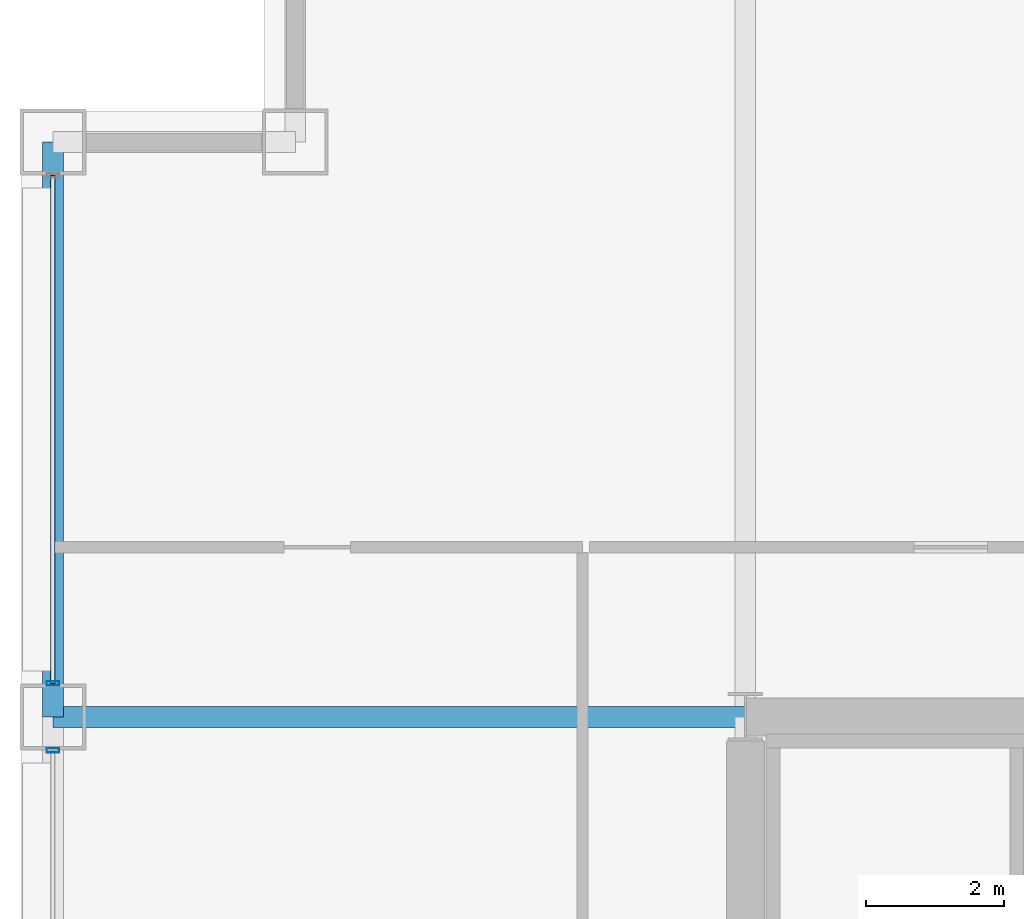
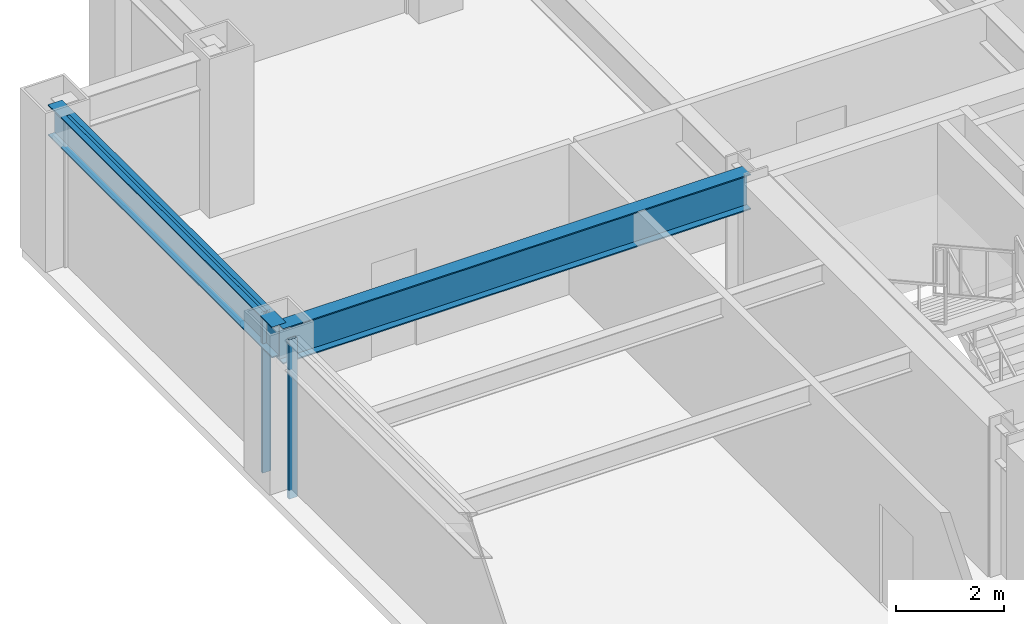
# One storey, part 15 of 31: 3 members, 2 beams, 2 elements without a shape of their own.
"""IFC4 building model written with IfcOpenShell, lengths in metres."""

import ifcopenshell
import ifcopenshell.guid

model = None  # the IFC model being written
_history = None  # IfcOwnerHistory: only IFC2X3 demands one
_inside = {}  # id of a spatial element -> (the spatial element, [elements in it])
_under = {}  # id of a project, library or spatial element -> (it, [spatial elements below it])
_declared = {}  # id of a project -> (the project, [libraries it declares])
_typed = {}  # id of a type object -> (the type object, [elements of that type])
_made_of = {}  # id of a material, layer set ... -> (it, [elements and type objects made of it])


def new_model(schema):
    """Start an empty IFC model of exactly this schema.

    Asked for "IFC4X3", IfcOpenShell would pick the latest addendum, in which some entities
    have other attributes; the version numbers below select the first issue.
    IFC2X3 requires an IfcOwnerHistory on every rooted entity: one is made here for all.
    """
    global model, _history
    if schema == "IFC4X3":
        model = ifcopenshell.file(schema_version=(4, 3, 0, 0))
    else:
        model = ifcopenshell.file(schema=schema)
    _inside.clear()
    _under.clear()
    _declared.clear()
    _typed.clear()
    _made_of.clear()
    _history = None
    if model.schema == "IFC2X3":
        org = make("IfcOrganization", Name="unknown")
        user = make(
            "IfcPersonAndOrganization",
            ThePerson=make("IfcPerson", FamilyName="unknown"),
            TheOrganization=org,
        )
        app = make(
            "IfcApplication",
            ApplicationDeveloper=org,
            Version="unknown",
            ApplicationFullName="unknown",
            ApplicationIdentifier="unknown",
        )
        _history = make(
            "IfcOwnerHistory",
            OwningUser=user,
            OwningApplication=app,
            ChangeAction="ADDED",
            CreationDate=0,
        )
    return model


def make(cls, **values):
    """One entity of the class cls with the attributes given. An attribute that is None is left unset."""
    return model.create_entity(
        cls, **{name: value for name, value in values.items() if value is not None}
    )


def rooted(cls, **values):
    """An entity with a GlobalId (a new one), such as an element, a storey or a relation."""
    return make(cls, GlobalId=ifcopenshell.guid.new(), OwnerHistory=_history, **values)


def si_unit(unit_type, name, prefix=None):
    """IfcSIUnit, for example si_unit("LENGTHUNIT", "METRE", prefix="MILLI")."""
    return make("IfcSIUnit", UnitType=unit_type, Prefix=prefix, Name=name)


def assignment(units):
    """IfcUnitAssignment: the units of a project."""
    return None if units is None else make("IfcUnitAssignment", Units=units)


def point(xyz):
    """IfcCartesianPoint."""
    return None if xyz is None else make("IfcCartesianPoint", Coordinates=xyz)


def direction(xyz):
    """IfcDirection."""
    return None if xyz is None else make("IfcDirection", DirectionRatios=xyz)


def frame(location, z_axis=None, x_axis=None):
    """IfcAxis2Placement3D, a coordinate frame: its origin and axes. An axis left out is left unset."""
    return make(
        "IfcAxis2Placement3D",
        Location=point(location),
        Axis=direction(z_axis),
        RefDirection=direction(x_axis),
    )


def frame_2d(location, x_axis=None):
    """IfcAxis2Placement2D, a coordinate frame in the plane: its origin and x axis."""
    return make(
        "IfcAxis2Placement2D", Location=point(location), RefDirection=direction(x_axis)
    )


def origin():
    """The frame at (0, 0, 0) with its axes left unset."""
    return frame((0.0, 0.0, 0.0))


def origin_2d():
    """The frame at (0, 0) in the plane with its x axis left unset."""
    return frame_2d((0.0, 0.0))


def place(relative_to, where):
    """IfcLocalPlacement: puts the frame where relative to a parent placement (None: the world)."""
    return make(
        "IfcLocalPlacement", PlacementRelTo=relative_to, RelativePlacement=where
    )


def context(
    kind, dimensions, precision=None, world=None, true_north=None, identifier=None
):
    """IfcGeometricRepresentationContext, for example the 3D "Model" context."""
    return make(
        "IfcGeometricRepresentationContext",
        ContextIdentifier=identifier,
        ContextType=kind,
        CoordinateSpaceDimension=dimensions,
        Precision=precision,
        WorldCoordinateSystem=world,
        TrueNorth=true_north,
    )


def subcontext(parent, identifier, kind, view, scale=None):
    """IfcGeometricRepresentationSubContext, for example "Body" below "Model"."""
    return make(
        "IfcGeometricRepresentationSubContext",
        ContextIdentifier=identifier,
        ContextType=kind,
        ParentContext=parent,
        TargetScale=scale,
        TargetView=view,
    )


def project(units=None, contexts=None):
    """IfcProject with its units and contexts."""
    return rooted(
        "IfcProject",
        Name="project",
        RepresentationContexts=contexts,
        UnitsInContext=assignment(units),
    )


def spatial(cls, under=None, at=None, **own):
    """A site, building, storey or space (cls), placed at a placement, below another one or the project."""
    s = rooted(cls, ObjectPlacement=at, **own)
    if under is not None:
        _under.setdefault(under.id(), (under, []))[1].append(s)
    return s


def profile(cls, at=None, kind="AREA", **sizes):
    """A parametric profile (cls). Its sizes go by their IFC names, for example OverallWidth=200.0."""
    return make(cls, ProfileType=kind, Position=at, **sizes)


def hollow_rectangle(**sizes):
    """IfcRectangleHollowProfileDef."""
    return profile("IfcRectangleHollowProfileDef", **sizes)


def i_section(**sizes):
    """IfcIShapeProfileDef."""
    return profile("IfcIShapeProfileDef", **sizes)


def extrude(swept, where, along, depth):
    """IfcExtrudedAreaSolid: the profile swept, set in the frame where, extruded along a direction by depth."""
    return make(
        "IfcExtrudedAreaSolid",
        SweptArea=swept,
        Position=where,
        ExtrudedDirection=direction(along),
        Depth=depth,
    )


def shape(context_of_items, identifier, shape_type, items):
    """IfcShapeRepresentation: the items that make up one representation, for example the "Body"."""
    return make(
        "IfcShapeRepresentation",
        ContextOfItems=context_of_items,
        RepresentationIdentifier=identifier,
        RepresentationType=shape_type,
        Items=items,
    )


def material(Name=None, Category=None):
    """IfcMaterial."""
    return make("IfcMaterial", Name=Name, Category=Category)


def layer(
    of_material, thickness, ventilated=None, Name=None, Category=None, Priority=None
):
    """IfcMaterialLayer: one layer of a wall or slab, of a material (None: an air gap)."""
    return make(
        "IfcMaterialLayer",
        Material=of_material,
        LayerThickness=thickness,
        IsVentilated=ventilated,
        Name=Name,
        Category=Category,
        Priority=Priority,
    )


def layer_set(layers, Name=None):
    """IfcMaterialLayerSet."""
    return make("IfcMaterialLayerSet", MaterialLayers=layers, LayerSetName=Name)


def material_profile(
    of_material, cross_section, Name=None, Category=None, Priority=None
):
    """IfcMaterialProfile: a cross section and its material."""
    return make(
        "IfcMaterialProfile",
        Name=Name,
        Material=of_material,
        Profile=cross_section,
        Priority=Priority,
        Category=Category,
    )


def profile_set(profiles, Name=None, composite=None):
    """IfcMaterialProfileSet."""
    return make(
        "IfcMaterialProfileSet",
        Name=Name,
        MaterialProfiles=profiles,
        CompositeProfile=composite,
    )


def made_of(thing, what):
    """Note that an element or type object is made of a material, layer set ...; save() writes the relation."""
    if what is not None:
        _made_of.setdefault(what.id(), (what, []))[1].append(thing)
    return thing


def type_object(cls, material=None, **own):
    """A type object (cls), such as IfcWallType, which elements share."""
    return made_of(rooted(cls, **own), material)


def element(
    cls,
    number,
    at=None,
    inside=None,
    cuts=None,
    type_object=None,
    material=None,
    context=None,
    identifier="Body",
    shape_type=None,
    held_by="IfcProductDefinitionShape",
    body=None,
    shapes=None,
    **own,
):
    """One element of the class cls, such as IfcWall. Its Tag is "e" and its number.

    at: its placement. inside: the storey or other place that contains it. cuts: it is an
    opening in that element (IfcRelVoidsElement). A single representation is given by context,
    identifier, shape_type and body (its items); several are given by shapes. held_by: the class
    of the entity that holds the representations. save() writes the other relations.
    """
    e = rooted(cls, Tag="e%d" % number, ObjectPlacement=at, **own)
    if body is not None:
        shapes = [shape(context, identifier, shape_type, body)]
    if shapes is not None:
        e.Representation = make(held_by, Representations=shapes)
    if inside is not None:
        _inside.setdefault(inside.id(), (inside, []))[1].append(e)
    if cuts is not None:
        rooted(
            "IfcRelVoidsElement", RelatingBuildingElement=cuts, RelatedOpeningElement=e
        )
    if type_object is not None:
        _typed.setdefault(type_object.id(), (type_object, []))[1].append(e)
    return made_of(e, material)


def aggregate(whole, parts):
    """IfcRelAggregates: a whole, such as a stair, and the parts it consists of."""
    return rooted("IfcRelAggregates", RelatingObject=whole, RelatedObjects=parts)


def save(model, path):
    """Write the relations noted so far, then the file.

    IfcRelAggregates (storeys below a building ...), IfcRelContainedInSpatialStructure (elements
    in a storey), IfcRelDefinesByType, IfcRelAssociatesMaterial and IfcRelDeclares: one each for
    every whole, place, type object, material and project.
    """
    for whole, parts in _under.values():
        aggregate(whole, parts)
    for where, things in _inside.values():
        rooted(
            "IfcRelContainedInSpatialStructure",
            RelatedElements=things,
            RelatingStructure=where,
        )
    for kind, things in _typed.values():
        rooted("IfcRelDefinesByType", RelatedObjects=things, RelatingType=kind)
    for what, things in _made_of.values():
        rooted("IfcRelAssociatesMaterial", RelatedObjects=things, RelatingMaterial=what)
    for by, libraries in _declared.values():
        rooted("IfcRelDeclares", RelatingContext=by, RelatedDefinitions=libraries)
    model.write(path)


model = new_model("IFC4")

# Units and contexts
model_context = context("Model", 3, precision=1e-05, world=origin(), true_north=direction((0.0, 1.0)))
body_context = subcontext(model_context, "Body", "Model", "MODEL_VIEW")
ifc_project = project(units=[si_unit("LENGTHUNIT", "METRE"), si_unit("AREAUNIT", "SQUARE_METRE"), si_unit("VOLUMEUNIT", "CUBIC_METRE"), si_unit("PLANEANGLEUNIT", "RADIAN"), si_unit("MASSUNIT", "GRAM", prefix="KILO")], contexts=[model_context])

# Site, building, storey
site_placement = place(None, origin())
site = spatial("IfcSite", under=ifc_project, at=site_placement, CompositionType="ELEMENT")
building_placement = place(site_placement, origin())
building = spatial("IfcBuilding", under=site, at=building_placement, Name="Brelmoor Portico Tower", CompositionType="ELEMENT")
storey_placement = place(building_placement, frame((0.0, 0.0, 31.199951171875)))
storey = spatial("IfcBuildingStorey", under=building, at=storey_placement, Name="L07", CompositionType="ELEMENT", Elevation=31.199951171875)

# Beams
ifc_material_1 = material(Name="Steel Q355B", Category="steel")
ifc_material_profile_1 = material_profile(ifc_material_1, i_section(OverallWidth=0.300048828125, OverallDepth=0.800048828125, WebThickness=0.013916015625, FlangeThickness=0.02587890625, at=origin_2d()), Name="HN 800x300x14x26")
ifc_profile_set_1 = profile_set([ifc_material_profile_1], Name="Steel Q355B")
beam_type_1 = type_object("IfcBeamType", Name="BM-PG-800", PredefinedType="BEAM", material=ifc_profile_set_1)
beam_1_placement = place(storey_placement, frame((-24.550048828125, 9.75, 3.0), z_axis=(1.0, 0.0, 0.0), x_axis=(0.0, 1.0, 0.0)))
element("IfcBeam", 1, at=beam_1_placement, inside=storey, type_object=beam_type_1, Name="L07 Primary Floor Girder PG-27", PredefinedType="BEAM", context=body_context, shape_type="SweptSolid", body=[
    extrude(i_section(OverallWidth=0.300048828125, OverallDepth=0.800048828125, WebThickness=0.013916015625, FlangeThickness=0.02587890625, at=origin_2d()), origin(), (0.0, 0.0, 1.0), 10.0),
])
ifc_material_profile_2 = material_profile(ifc_material_1, i_section(OverallWidth=0.300048828125, OverallDepth=0.699951171875, WebThickness=0.012939453125, FlangeThickness=0.02392578125, at=origin_2d()), Name="HN 700x300x13x24")
ifc_profile_set_2 = profile_set([ifc_material_profile_2], Name="Steel Q355B")
beam_type_2 = type_object("IfcBeamType", Name="BM-SP-700", PredefinedType="SPANDREL", material=ifc_profile_set_2)
beam_2_placement = place(storey_placement, frame((-24.550048828125, 9.75, 3.050048828125), z_axis=(0.0, 1.0, 0.0), x_axis=(-1.0, 0.0, 0.0)))
element("IfcBeam", 2, at=beam_2_placement, inside=storey, type_object=beam_type_2, Name="L07 Perimeter Spandrel Beam SP-17", PredefinedType="SPANDREL", context=body_context, shape_type="SweptSolid", body=[
    extrude(i_section(OverallWidth=0.300048828125, OverallDepth=0.699951171875, WebThickness=0.012939453125, FlangeThickness=0.02392578125, at=origin_2d()), origin(), (0.0, 0.0, 1.0), 8.300048828125),
])

# Curtain wall, member
ifc_material_2 = material(Name="Anodised Aluminium Alloy 6063-T6", Category="aluminium")
ifc_layer = layer(ifc_material_2, 0.179931640625)
ifc_layer_set = layer_set([ifc_layer], Name="Anodised Aluminium Alloy 6063-T6")
curtain_wall_type = type_object("IfcCurtainWallType", Name="CW-TOWER-Z1-XB", PredefinedType="NOTDEFINED", material=ifc_layer_set)
curtain_wall_1_placement = place(storey_placement, origin())
curtain_wall_1 = element("IfcCurtainWall", 3, at=curtain_wall_1_placement, inside=storey, type_object=curtain_wall_type, Name="L07 Curtain Wall CW-L07-03-2", PredefinedType="NOTDEFINED")
ifc_material_profile_3 = material_profile(ifc_material_2, hollow_rectangle(XDim=0.06494140625, YDim=0.179931640625, WallThickness=0.00390625, at=origin_2d()), Name="ALU MULLION 65x180")
ifc_profile_set_3 = profile_set([ifc_material_profile_3], Name="Anodised Aluminium Alloy 6063-T6")
member_type_1 = type_object("IfcMemberType", Name="MB-CW-MULL-180", PredefinedType="MULLION", material=ifc_profile_set_3)
member_1_placement = place(storey_placement, frame((-24.550048828125, 9.264892578125, -0.199951171875), z_axis=(0.0, 0.0, 1.0), x_axis=(0.0, 1.0, 0.0)))
member_1 = element("IfcMember", 4, at=member_1_placement, type_object=member_type_1, Name="CW-L07-03-2 Mullion 02", PredefinedType="MULLION", context=body_context, shape_type="SweptSolid", body=[
    extrude(hollow_rectangle(XDim=0.06494140625, YDim=0.179931640625, WallThickness=0.00390625, at=origin_2d()), origin(), (0.0, 0.0, 1.0), 3.60009765625),
])
aggregate(curtain_wall_1, [member_1])

# Curtain wall, members
curtain_wall_2_placement = place(storey_placement, origin())
curtain_wall_2 = element("IfcCurtainWall", 5, at=curtain_wall_2_placement, inside=storey, type_object=curtain_wall_type, Name="L07 Curtain Wall CW-L07-03-3", PredefinedType="NOTDEFINED")
member_2_placement = place(storey_placement, frame((-24.550048828125, 10.235107421875, -0.199951171875), z_axis=(0.0, 0.0, 1.0), x_axis=(0.0, 1.0, 0.0)))
member_2 = element("IfcMember", 6, at=member_2_placement, type_object=member_type_1, Name="CW-L07-03-3 Mullion 00", PredefinedType="MULLION", context=body_context, shape_type="SweptSolid", body=[
    extrude(hollow_rectangle(XDim=0.06494140625, YDim=0.179931640625, WallThickness=0.00390625, at=origin_2d()), origin(), (0.0, 0.0, 1.0), 3.60009765625),
])
ifc_material_profile_4 = material_profile(ifc_material_2, hollow_rectangle(XDim=0.06494140625, YDim=0.139892578125, WallThickness=0.00390625, at=origin_2d()), Name="ALU TRANSOM 65x140")
ifc_profile_set_4 = profile_set([ifc_material_profile_4], Name="Anodised Aluminium Alloy 6063-T6")
member_type_2 = type_object("IfcMemberType", Name="MB-CW-TRAN-140", PredefinedType="USERDEFINED", material=ifc_profile_set_4)
member_3_placement = place(storey_placement, frame((-24.550048828125, 10.235107421875, 3.330078125), z_axis=(0.0, 1.0, 0.0), x_axis=(-1.0, 0.0, 0.0)))
member_3 = element("IfcMember", 7, at=member_3_placement, type_object=member_type_2, Name="CW-L07-03-3 Transom 1-00", ObjectType="TRANSOM", PredefinedType="USERDEFINED", context=body_context, shape_type="SweptSolid", body=[
    extrude(hollow_rectangle(XDim=0.06494140625, YDim=0.139892578125, WallThickness=0.00390625, at=origin_2d()), origin(), (0.0, 0.0, 1.0), 7.329833984375),
])
aggregate(curtain_wall_2, [member_2, member_3])

save(model, "model.ifc")
